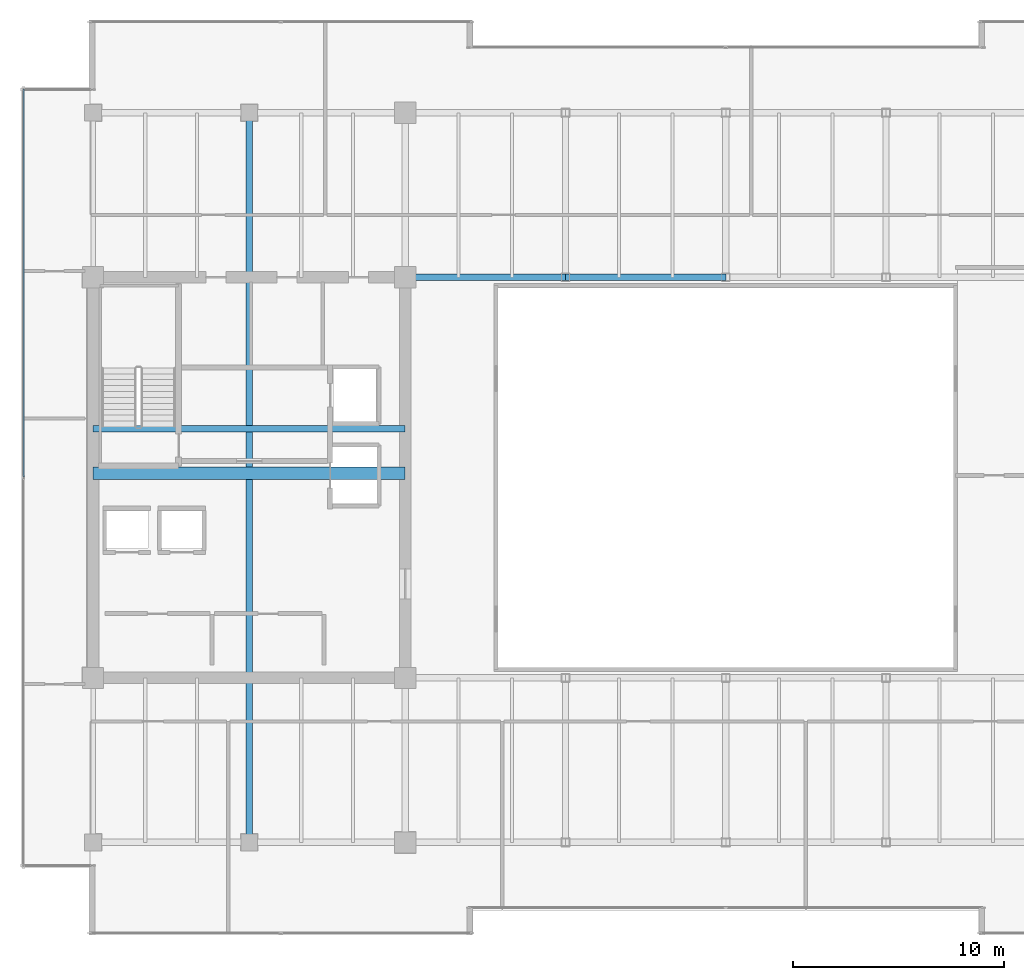
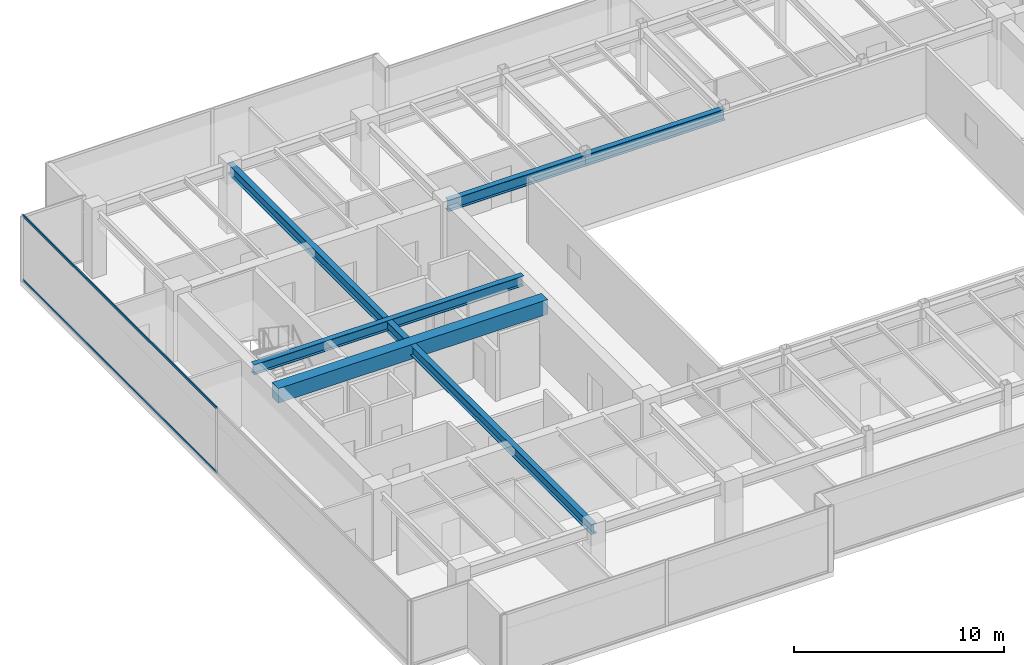
# One storey, part 10 of 35: 5 beams, 2 members, 1 element without a shape of its own.
"""IFC4 building model written with IfcOpenShell, lengths in metres."""

from ifc_helpers import new_model, si_unit, direction, frame, origin, origin_2d, place, context, subcontext, project, spatial, rectangle, hollow_rectangle, i_section, extrude, source, transform, mapped, material, layer, layer_set, material_profile, profile_set, type_object, type_shapes, element, aggregate, save


model = new_model("IFC4")

# Units and contexts
model_context = context("Model", 3, precision=1e-05, world=origin(), true_north=direction((0.0, 1.0)))
body_context = subcontext(model_context, "Body", "Model", "MODEL_VIEW")
ifc_project = project(units=[si_unit("LENGTHUNIT", "METRE"), si_unit("AREAUNIT", "SQUARE_METRE"), si_unit("VOLUMEUNIT", "CUBIC_METRE"), si_unit("PLANEANGLEUNIT", "RADIAN"), si_unit("MASSUNIT", "GRAM", prefix="KILO")], contexts=[model_context])

# Site, building, storey
site_placement = place(None, origin())
site = spatial("IfcSite", under=ifc_project, at=site_placement, CompositionType="ELEMENT")
building_placement = place(site_placement, origin())
building = spatial("IfcBuilding", under=site, at=building_placement, Name="Haelvirn Gate Laboratories", CompositionType="ELEMENT")
storey_placement = place(building_placement, frame((0.0, 0.0, 221.89990234375)))
storey = spatial("IfcBuildingStorey", under=building, at=storey_placement, Name="L53", CompositionType="ELEMENT", Elevation=221.89990234375)

# Beams
ifc_material_1 = material(Name="Steel SM355", Category="steel")
ifc_material_profile_1 = material_profile(ifc_material_1, i_section(OverallWidth=0.300048828125, OverallDepth=0.587890625, WebThickness=0.011962890625, FlangeThickness=0.02001953125, at=origin_2d()), Name="H-588x300x12x20")
ifc_profile_set_1 = profile_set([ifc_material_profile_1], Name="Steel SM355")
beam_type_1 = type_object("IfcBeamType", Name="BM-G-588", PredefinedType="BEAM", material=ifc_profile_set_1)
shared_shape_1 = source(origin(), body_context, "Body", "SweptSolid", [
    extrude(i_section(OverallWidth=0.300048828125, OverallDepth=0.587890625, WebThickness=0.011962890625, FlangeThickness=0.02001953125, at=origin_2d()), origin(), (0.0, 0.0, 1.0), 14.800048828125),
])
beam_1_placement = place(storey_placement, frame((7.39990234375, 26.6201171875, 3.506103515625), z_axis=(1.0, 0.0, 0.0), x_axis=(0.0, 1.0, 0.0)))
element("IfcBeam", 1, at=beam_1_placement, inside=storey, type_object=beam_type_1, Name="L53 Stair ST1 Landing Header", PredefinedType="BEAM", context=body_context, shape_type="MappedRepresentation", body=[
    mapped(shared_shape_1, transform((0.0, 0.0, 0.0), scale=1.0)),
])
shared_shape_2 = source(origin(), body_context, "Body", "SweptSolid", [
    extrude(i_section(OverallWidth=0.300048828125, OverallDepth=0.587890625, WebThickness=0.011962890625, FlangeThickness=0.02001953125, at=origin_2d()), origin(), (0.0, 0.0, 1.0), 34.60009765625),
])
type_shapes(beam_type_1, [shared_shape_1, shared_shape_2])
beam_2_placement = place(storey_placement, frame((14.800048828125, 7.0, 3.506103515625), z_axis=(0.0, 1.0, 0.0), x_axis=(-1.0, 0.0, 0.0)))
element("IfcBeam", 2, at=beam_2_placement, inside=storey, type_object=beam_type_1, Name="L53 Frame Girder X14.8 (7.0-41.6)", PredefinedType="BEAM", context=body_context, shape_type="MappedRepresentation", body=[
    mapped(shared_shape_2, transform((0.0, 0.0, 0.0), scale=1.0)),
])
ifc_material_2 = material(Name="Concrete C50/60", Category="concrete")
ifc_material_profile_2 = material_profile(ifc_material_2, rectangle(XDim=0.60009765625, YDim=0.85009765625, at=origin_2d()), Name="RCB-600x850")
ifc_profile_set_2 = profile_set([ifc_material_profile_2], Name="Concrete C50/60")
beam_type_2 = type_object("IfcBeamType", Name="BM-RCB-850", PredefinedType="LINTEL", material=ifc_profile_set_2)
shared_shape_3 = source(origin(), body_context, "Body", "SweptSolid", [
    extrude(rectangle(XDim=0.60009765625, YDim=0.85009765625, at=origin_2d()), origin(), (0.0, 0.0, 1.0), 14.800048828125),
])
type_shapes(beam_type_2, [shared_shape_3])
beam_3_placement = place(storey_placement, frame((7.39990234375, 24.5, 3.375), z_axis=(1.0, 0.0, 0.0), x_axis=(0.0, 1.0, 0.0)))
element("IfcBeam", 3, at=beam_3_placement, inside=storey, type_object=beam_type_2, Name="L53 West Core Coupling Beam", PredefinedType="LINTEL", context=body_context, shape_type="MappedRepresentation", body=[
    mapped(shared_shape_3, transform((0.0, 0.0, 0.0), scale=1.0)),
])
ifc_material_profile_3 = material_profile(ifc_material_1, i_section(OverallWidth=0.300048828125, OverallDepth=0.64990234375, WebThickness=0.012939453125, FlangeThickness=0.02197265625, at=origin_2d()), Name="H-650x300x13x22")
ifc_profile_set_3 = profile_set([ifc_material_profile_3], Name="Steel SM355")
beam_type_3 = type_object("IfcBeamType", Name="BM-G-650", PredefinedType="BEAM", material=ifc_profile_set_3)
shared_shape_4 = source(origin(), body_context, "Body", "SweptSolid", [
    extrude(i_section(OverallWidth=0.300048828125, OverallDepth=0.64990234375, WebThickness=0.012939453125, FlangeThickness=0.02197265625, at=origin_2d()), origin(), (0.0, 0.0, 1.0), 7.60009765625),
])
beam_4_placement = place(storey_placement, frame((22.199951171875, 33.800048828125, 3.47509765625), z_axis=(1.0, 0.0, 0.0), x_axis=(0.0, 1.0, 0.0)))
element("IfcBeam", 4, at=beam_4_placement, inside=storey, type_object=beam_type_3, Name="L53 Primary Girder Y33.8 (22.2-29.8)", PredefinedType="BEAM", context=body_context, shape_type="MappedRepresentation", body=[
    mapped(shared_shape_4, transform((0.0, 0.0, 0.0), scale=1.0)),
])
shared_shape_5 = source(origin(), body_context, "Body", "SweptSolid", [
    extrude(i_section(OverallWidth=0.300048828125, OverallDepth=0.64990234375, WebThickness=0.012939453125, FlangeThickness=0.02197265625, at=origin_2d()), origin(), (0.0, 0.0, 1.0), 7.599853515625),
])
type_shapes(beam_type_3, [shared_shape_4, shared_shape_5])
beam_5_placement = place(storey_placement, frame((29.800048828125, 33.800048828125, 3.47509765625), z_axis=(1.0, 0.0, 0.0), x_axis=(0.0, 1.0, 0.0)))
element("IfcBeam", 5, at=beam_5_placement, inside=storey, type_object=beam_type_3, Name="L53 Primary Girder Y33.8 (29.8-37.4)", PredefinedType="BEAM", context=body_context, shape_type="MappedRepresentation", body=[
    mapped(shared_shape_5, transform((0.0, 0.0, 0.0), scale=1.0)),
])

# Curtain wall, members
ifc_material_3 = material(Name="Anodised bronze unitised aluminium & triple low-E glass", Category="aluminium")
ifc_layer = layer(ifc_material_3, 0.176025390625, Name="CW-SYS-4")
ifc_layer_set = layer_set([ifc_layer], Name="Anodised bronze unitised aluminium & triple low-E glass")
curtain_wall_type = type_object("IfcCurtainWallType", Name="CW-SYS-4", PredefinedType="NOTDEFINED", material=ifc_layer_set)
curtain_wall_placement = place(storey_placement, origin())
curtain_wall = element("IfcCurtainWall", 6, at=curtain_wall_placement, inside=storey, type_object=curtain_wall_type, Name="L53 Unitised Curtain Wall CW-L53-P0-E17", PredefinedType="NOTDEFINED")
ifc_material_4 = material(Name="Extruded aluminium 6063-T6 (anodised bronze)", Category="aluminium")
ifc_material_profile_4 = material_profile(ifc_material_4, hollow_rectangle(XDim=0.06494140625, YDim=0.139892578125, WallThickness=0.00390625, at=origin_2d()), Name="CWT-140x65x4")
ifc_profile_set_4 = profile_set([ifc_material_profile_4], Name="Extruded aluminium 6063-T6 (anodised bronze)")
member_type = type_object("IfcMemberType", Name="CWT-T140", PredefinedType="USERDEFINED", material=ifc_profile_set_4)
shared_shape_6 = source(origin(), body_context, "Body", "SweptSolid", [
    extrude(hollow_rectangle(XDim=0.06494140625, YDim=0.139892578125, WallThickness=0.00390625, at=origin_2d()), origin(), (0.0, 0.0, 1.0), 18.39501953125),
])
type_shapes(member_type, [shared_shape_6])
member_1_placement = place(storey_placement, frame((4.10009765625, 42.72998046875, 0.03271484375), z_axis=(0.0, -1.0, 0.0), x_axis=(1.0, 0.0, 0.0)))
member_1 = element("IfcMember", 7, at=member_1_placement, type_object=member_type, Name="CW4 transom 1.1", ObjectType="TRANSOM", PredefinedType="USERDEFINED", context=body_context, shape_type="MappedRepresentation", body=[
    mapped(shared_shape_6, transform((0.0, 0.0, 0.0), scale=1.0)),
])
member_2_placement = place(storey_placement, frame((4.10009765625, 42.72998046875, 3.767578125), z_axis=(0.0, -1.0, 0.0), x_axis=(1.0, 0.0, 0.0)))
member_2 = element("IfcMember", 8, at=member_2_placement, type_object=member_type, Name="CW4 transom 1.2", ObjectType="TRANSOM", PredefinedType="USERDEFINED", context=body_context, shape_type="MappedRepresentation", body=[
    mapped(shared_shape_6, transform((0.0, 0.0, 0.0), scale=1.0)),
])
aggregate(curtain_wall, [member_1, member_2])

save(model, "model.ifc")
